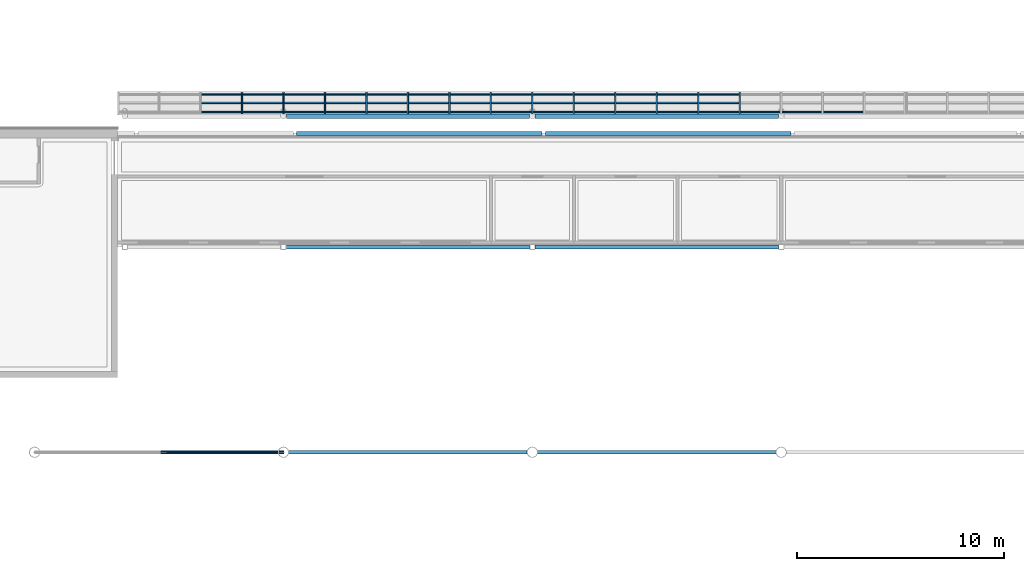
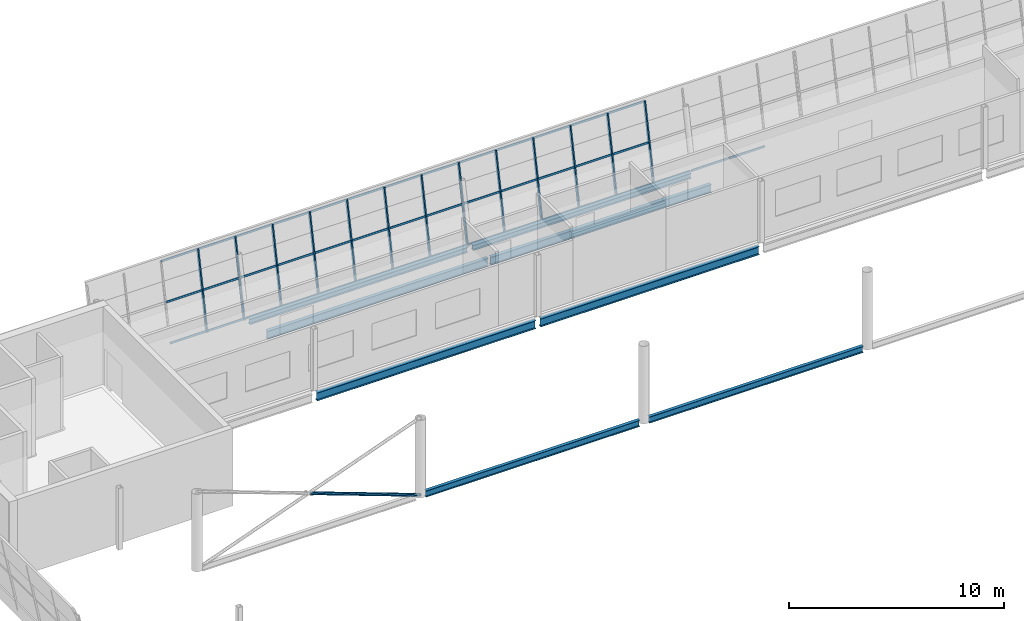
# One storey, part 27 of 95: 56 members, 8 beams, 1 element without a shape of its own.
"""IFC4 building model written with IfcOpenShell, lengths in metres."""

from ifc_helpers import new_model, si_unit, direction, frame, origin, origin_2d, place, context, subcontext, project, spatial, rectangle, hollow_circle, i_section, extrude, material, layer, layer_set, material_profile, profile_set, type_object, element, aggregate, save


model = new_model("IFC4")

# Units and contexts
model_context = context("Model", 3, precision=1e-05, world=origin(), true_north=direction((0.0, 1.0)))
body_context = subcontext(model_context, "Body", "Model", "MODEL_VIEW")
ifc_project = project(units=[si_unit("LENGTHUNIT", "METRE"), si_unit("AREAUNIT", "SQUARE_METRE"), si_unit("VOLUMEUNIT", "CUBIC_METRE"), si_unit("PLANEANGLEUNIT", "RADIAN"), si_unit("MASSUNIT", "GRAM", prefix="KILO")], contexts=[model_context])

# Site, building, storey
site_placement = place(None, origin())
site = spatial("IfcSite", under=ifc_project, at=site_placement, CompositionType="ELEMENT")
building_placement = place(site_placement, origin())
building = spatial("IfcBuilding", under=site, at=building_placement, Name="Windward Yard Aquatics Centre", CompositionType="ELEMENT")
storey_placement = place(building_placement, frame((0.0, 0.0, 9.39990234375)))
storey = spatial("IfcBuildingStorey", under=building, at=storey_placement, Name="L02", CompositionType="ELEMENT", Elevation=9.39990234375)

# Curtain wall, members
ifc_material_1 = material(Name="Glass and aluminium curtain wall", Category="aluminium")
ifc_layer = layer(ifc_material_1, 0.179931640625)
ifc_layer_set = layer_set([ifc_layer], Name="H curtain wall tier 1 double glazed 8+16+8")
curtain_wall_type = type_object("IfcCurtainWallType", Name="H curtain wall tier 1 double glazed 8+16+8", PredefinedType="NOTDEFINED", material=ifc_layer_set)
curtain_wall_placement = place(storey_placement, origin())
curtain_wall = element("IfcCurtainWall", 1, at=curtain_wall_placement, inside=storey, type_object=curtain_wall_type, Name="Tier 1 glazing N L02", PredefinedType="NOTDEFINED")
ifc_material_2 = material(Name="Aluminium 6063-T6 anodised", Category="aluminium")
ifc_material_profile_1 = material_profile(ifc_material_2, rectangle(XDim=0.06494140625, YDim=0.179931640625, at=origin_2d()), Name="H CW mullion 65x180")
ifc_profile_set_1 = profile_set([ifc_material_profile_1], Name="Aluminium 6063-T6 anodised")
member_type_1 = type_object("IfcMemberType", Name="H CW mullion 65x180", PredefinedType="MULLION", material=ifc_profile_set_1)
member_1_placement = place(storey_placement, frame((69.999267578125, 96.803466796875, 0.0), z_axis=(0.0, 0.199322032497, 0.979934042352), x_axis=(-1.0, 0.0, 0.0)))
member_1 = element("IfcMember", 2, at=member_1_placement, type_object=member_type_1, Name="G1NA mullion 4", PredefinedType="MULLION", context=body_context, shape_type="SweptSolid", body=[
    extrude(rectangle(XDim=0.06494140625, YDim=0.179931640625, at=origin_2d()), origin(), (0.0, 0.0, 1.0), 4.31884765625),
])
member_2_placement = place(storey_placement, frame((71.9990234375, 96.803466796875, 0.0), z_axis=(0.0, 0.199322032497, 0.979934042352), x_axis=(-1.0, 0.0, 0.0)))
member_2 = element("IfcMember", 3, at=member_2_placement, type_object=member_type_1, Name="G1NA mullion 5", PredefinedType="MULLION", context=body_context, shape_type="SweptSolid", body=[
    extrude(rectangle(XDim=0.06494140625, YDim=0.179931640625, at=origin_2d()), origin(), (0.0, 0.0, 1.0), 4.31884765625),
])
member_3_placement = place(storey_placement, frame((73.998779296875, 96.803466796875, 0.0), z_axis=(0.0, 0.199322032497, 0.979934042352), x_axis=(-1.0, 0.0, 0.0)))
member_3 = element("IfcMember", 4, at=member_3_placement, type_object=member_type_1, Name="G1NA mullion 6", PredefinedType="MULLION", context=body_context, shape_type="SweptSolid", body=[
    extrude(rectangle(XDim=0.06494140625, YDim=0.179931640625, at=origin_2d()), origin(), (0.0, 0.0, 1.0), 4.31884765625),
])
member_4_placement = place(storey_placement, frame((75.99853515625, 96.803466796875, 0.0), z_axis=(0.0, 0.199322032497, 0.979934042352), x_axis=(-1.0, 0.0, 0.0)))
member_4 = element("IfcMember", 5, at=member_4_placement, type_object=member_type_1, Name="G1NA mullion 7", PredefinedType="MULLION", context=body_context, shape_type="SweptSolid", body=[
    extrude(rectangle(XDim=0.06494140625, YDim=0.179931640625, at=origin_2d()), origin(), (0.0, 0.0, 1.0), 4.31884765625),
])
member_5_placement = place(storey_placement, frame((77.998046875, 96.803466796875, 0.0), z_axis=(0.0, 0.199322032497, 0.979934042352), x_axis=(-1.0, 0.0, 0.0)))
member_5 = element("IfcMember", 6, at=member_5_placement, type_object=member_type_1, Name="G1NA mullion 8", PredefinedType="MULLION", context=body_context, shape_type="SweptSolid", body=[
    extrude(rectangle(XDim=0.06494140625, YDim=0.179931640625, at=origin_2d()), origin(), (0.0, 0.0, 1.0), 4.31884765625),
])
member_6_placement = place(storey_placement, frame((79.997802734375, 96.803466796875, 0.0), z_axis=(0.0, 0.199322032497, 0.979934042352), x_axis=(-1.0, 0.0, 0.0)))
member_6 = element("IfcMember", 7, at=member_6_placement, type_object=member_type_1, Name="G1NA mullion 9", PredefinedType="MULLION", context=body_context, shape_type="SweptSolid", body=[
    extrude(rectangle(XDim=0.06494140625, YDim=0.179931640625, at=origin_2d()), origin(), (0.0, 0.0, 1.0), 4.31884765625),
])
member_7_placement = place(storey_placement, frame((81.99755859375, 96.803466796875, 0.0), z_axis=(0.0, 0.199322032497, 0.979934042352), x_axis=(-1.0, 0.0, 0.0)))
member_7 = element("IfcMember", 8, at=member_7_placement, type_object=member_type_1, Name="G1NA mullion 10", PredefinedType="MULLION", context=body_context, shape_type="SweptSolid", body=[
    extrude(rectangle(XDim=0.06494140625, YDim=0.179931640625, at=origin_2d()), origin(), (0.0, 0.0, 1.0), 4.31884765625),
])
member_8_placement = place(storey_placement, frame((83.997314453125, 96.803466796875, 0.0), z_axis=(0.0, 0.199322032497, 0.979934042352), x_axis=(-1.0, 0.0, 0.0)))
member_8 = element("IfcMember", 9, at=member_8_placement, type_object=member_type_1, Name="G1NA mullion 11", PredefinedType="MULLION", context=body_context, shape_type="SweptSolid", body=[
    extrude(rectangle(XDim=0.06494140625, YDim=0.179931640625, at=origin_2d()), origin(), (0.0, 0.0, 1.0), 4.31884765625),
])
member_9_placement = place(storey_placement, frame((85.9970703125, 96.803466796875, 0.0), z_axis=(0.0, 0.199322032497, 0.979934042352), x_axis=(-1.0, 0.0, 0.0)))
member_9 = element("IfcMember", 10, at=member_9_placement, type_object=member_type_1, Name="G1NA mullion 12", PredefinedType="MULLION", context=body_context, shape_type="SweptSolid", body=[
    extrude(rectangle(XDim=0.06494140625, YDim=0.179931640625, at=origin_2d()), origin(), (0.0, 0.0, 1.0), 4.31884765625),
])
member_10_placement = place(storey_placement, frame((87.996826171875, 96.803466796875, 0.0), z_axis=(0.0, 0.199322032497, 0.979934042352), x_axis=(-1.0, 0.0, 0.0)))
member_10 = element("IfcMember", 11, at=member_10_placement, type_object=member_type_1, Name="G1NA mullion 13", PredefinedType="MULLION", context=body_context, shape_type="SweptSolid", body=[
    extrude(rectangle(XDim=0.06494140625, YDim=0.179931640625, at=origin_2d()), origin(), (0.0, 0.0, 1.0), 4.31884765625),
])
member_11_placement = place(storey_placement, frame((89.99658203125, 96.803466796875, 0.0), z_axis=(0.0, 0.199322032497, 0.979934042352), x_axis=(-1.0, 0.0, 0.0)))
member_11 = element("IfcMember", 12, at=member_11_placement, type_object=member_type_1, Name="G1NA mullion 14", PredefinedType="MULLION", context=body_context, shape_type="SweptSolid", body=[
    extrude(rectangle(XDim=0.06494140625, YDim=0.179931640625, at=origin_2d()), origin(), (0.0, 0.0, 1.0), 4.31884765625),
])
member_12_placement = place(storey_placement, frame((91.996337890625, 96.803466796875, 0.0), z_axis=(0.0, 0.199322032497, 0.979934042352), x_axis=(-1.0, 0.0, 0.0)))
member_12 = element("IfcMember", 13, at=member_12_placement, type_object=member_type_1, Name="G1NA mullion 15", PredefinedType="MULLION", context=body_context, shape_type="SweptSolid", body=[
    extrude(rectangle(XDim=0.06494140625, YDim=0.179931640625, at=origin_2d()), origin(), (0.0, 0.0, 1.0), 4.31884765625),
])
member_13_placement = place(storey_placement, frame((93.99609375, 96.803466796875, 0.0), z_axis=(0.0, 0.199322032497, 0.979934042352), x_axis=(-1.0, 0.0, 0.0)))
member_13 = element("IfcMember", 14, at=member_13_placement, type_object=member_type_1, Name="G1NA mullion 16", PredefinedType="MULLION", context=body_context, shape_type="SweptSolid", body=[
    extrude(rectangle(XDim=0.06494140625, YDim=0.179931640625, at=origin_2d()), origin(), (0.0, 0.0, 1.0), 4.31884765625),
])
ifc_material_profile_2 = material_profile(ifc_material_2, rectangle(XDim=0.06494140625, YDim=0.10009765625, at=origin_2d()), Name="H CW transom 65x100")
ifc_profile_set_2 = profile_set([ifc_material_profile_2], Name="Aluminium 6063-T6 anodised")
member_type_2 = type_object("IfcMemberType", Name="H CW transom 65x100", PredefinedType="USERDEFINED", material=ifc_profile_set_2)
member_14_placement = place(storey_placement, frame((68.031982421875, 96.813232421875, 0.049072265625), z_axis=(1.0, 0.0, 0.0), x_axis=(0.0, -0.9799247046, 0.19936793452)))
member_14 = element("IfcMember", 15, at=member_14_placement, type_object=member_type_2, Name="G1NA transom 3.1", ObjectType="TRANSOM", PredefinedType="USERDEFINED", context=body_context, shape_type="SweptSolid", body=[
    extrude(rectangle(XDim=0.06494140625, YDim=0.10009765625, at=origin_2d()), origin(), (0.0, 0.0, 1.0), 1.934814453125),
])
member_15_placement = place(storey_placement, frame((68.031982421875, 97.235595703125, 2.125), z_axis=(1.0, 0.0, 0.0), x_axis=(0.0, -0.9799247046, 0.19936793452)))
member_15 = element("IfcMember", 16, at=member_15_placement, type_object=member_type_2, Name="G1NA transom 3.2", ObjectType="TRANSOM", PredefinedType="USERDEFINED", context=body_context, shape_type="SweptSolid", body=[
    extrude(rectangle(XDim=0.06494140625, YDim=0.10009765625, at=origin_2d()), origin(), (0.0, 0.0, 1.0), 1.934814453125),
])
member_16_placement = place(storey_placement, frame((68.031982421875, 97.65673828125, 4.194580078125), z_axis=(1.0, 0.0, 0.0), x_axis=(0.0, -0.9799247046, 0.19936793452)))
member_16 = element("IfcMember", 17, at=member_16_placement, type_object=member_type_2, Name="G1NA transom 3.3", ObjectType="TRANSOM", PredefinedType="USERDEFINED", context=body_context, shape_type="SweptSolid", body=[
    extrude(rectangle(XDim=0.06494140625, YDim=0.10009765625, at=origin_2d()), origin(), (0.0, 0.0, 1.0), 1.934814453125),
])
member_17_placement = place(storey_placement, frame((70.03173828125, 96.813232421875, 0.049072265625), z_axis=(1.0, 0.0, 0.0), x_axis=(0.0, -0.9799247046, 0.19936793452)))
member_17 = element("IfcMember", 18, at=member_17_placement, type_object=member_type_2, Name="G1NA transom 4.1", ObjectType="TRANSOM", PredefinedType="USERDEFINED", context=body_context, shape_type="SweptSolid", body=[
    extrude(rectangle(XDim=0.06494140625, YDim=0.10009765625, at=origin_2d()), origin(), (0.0, 0.0, 1.0), 1.934814453125),
])
member_18_placement = place(storey_placement, frame((70.03173828125, 97.235595703125, 2.125), z_axis=(1.0, 0.0, 0.0), x_axis=(0.0, -0.9799247046, 0.19936793452)))
member_18 = element("IfcMember", 19, at=member_18_placement, type_object=member_type_2, Name="G1NA transom 4.2", ObjectType="TRANSOM", PredefinedType="USERDEFINED", context=body_context, shape_type="SweptSolid", body=[
    extrude(rectangle(XDim=0.06494140625, YDim=0.10009765625, at=origin_2d()), origin(), (0.0, 0.0, 1.0), 1.934814453125),
])
member_19_placement = place(storey_placement, frame((70.03173828125, 97.65673828125, 4.194580078125), z_axis=(1.0, 0.0, 0.0), x_axis=(0.0, -0.9799247046, 0.19936793452)))
member_19 = element("IfcMember", 20, at=member_19_placement, type_object=member_type_2, Name="G1NA transom 4.3", ObjectType="TRANSOM", PredefinedType="USERDEFINED", context=body_context, shape_type="SweptSolid", body=[
    extrude(rectangle(XDim=0.06494140625, YDim=0.10009765625, at=origin_2d()), origin(), (0.0, 0.0, 1.0), 1.934814453125),
])
member_20_placement = place(storey_placement, frame((72.031494140625, 96.813232421875, 0.049072265625), z_axis=(1.0, 0.0, 0.0), x_axis=(0.0, -0.9799247046, 0.19936793452)))
member_20 = element("IfcMember", 21, at=member_20_placement, type_object=member_type_2, Name="G1NA transom 5.1", ObjectType="TRANSOM", PredefinedType="USERDEFINED", context=body_context, shape_type="SweptSolid", body=[
    extrude(rectangle(XDim=0.06494140625, YDim=0.10009765625, at=origin_2d()), origin(), (0.0, 0.0, 1.0), 1.9345703125),
])
member_21_placement = place(storey_placement, frame((72.031494140625, 97.235595703125, 2.125), z_axis=(1.0, 0.0, 0.0), x_axis=(0.0, -0.9799247046, 0.19936793452)))
member_21 = element("IfcMember", 22, at=member_21_placement, type_object=member_type_2, Name="G1NA transom 5.2", ObjectType="TRANSOM", PredefinedType="USERDEFINED", context=body_context, shape_type="SweptSolid", body=[
    extrude(rectangle(XDim=0.06494140625, YDim=0.10009765625, at=origin_2d()), origin(), (0.0, 0.0, 1.0), 1.9345703125),
])
member_22_placement = place(storey_placement, frame((72.031494140625, 97.65673828125, 4.194580078125), z_axis=(1.0, 0.0, 0.0), x_axis=(0.0, -0.9799247046, 0.19936793452)))
member_22 = element("IfcMember", 23, at=member_22_placement, type_object=member_type_2, Name="G1NA transom 5.3", ObjectType="TRANSOM", PredefinedType="USERDEFINED", context=body_context, shape_type="SweptSolid", body=[
    extrude(rectangle(XDim=0.06494140625, YDim=0.10009765625, at=origin_2d()), origin(), (0.0, 0.0, 1.0), 1.9345703125),
])
member_23_placement = place(storey_placement, frame((74.03125, 96.813232421875, 0.049072265625), z_axis=(1.0, 0.0, 0.0), x_axis=(0.0, -0.9799247046, 0.19936793452)))
member_23 = element("IfcMember", 24, at=member_23_placement, type_object=member_type_2, Name="G1NA transom 6.1", ObjectType="TRANSOM", PredefinedType="USERDEFINED", context=body_context, shape_type="SweptSolid", body=[
    extrude(rectangle(XDim=0.06494140625, YDim=0.10009765625, at=origin_2d()), origin(), (0.0, 0.0, 1.0), 1.9345703125),
])
member_24_placement = place(storey_placement, frame((74.03125, 97.235595703125, 2.125), z_axis=(1.0, 0.0, 0.0), x_axis=(0.0, -0.9799247046, 0.19936793452)))
member_24 = element("IfcMember", 25, at=member_24_placement, type_object=member_type_2, Name="G1NA transom 6.2", ObjectType="TRANSOM", PredefinedType="USERDEFINED", context=body_context, shape_type="SweptSolid", body=[
    extrude(rectangle(XDim=0.06494140625, YDim=0.10009765625, at=origin_2d()), origin(), (0.0, 0.0, 1.0), 1.9345703125),
])
member_25_placement = place(storey_placement, frame((74.03125, 97.65673828125, 4.194580078125), z_axis=(1.0, 0.0, 0.0), x_axis=(0.0, -0.9799247046, 0.19936793452)))
member_25 = element("IfcMember", 26, at=member_25_placement, type_object=member_type_2, Name="G1NA transom 6.3", ObjectType="TRANSOM", PredefinedType="USERDEFINED", context=body_context, shape_type="SweptSolid", body=[
    extrude(rectangle(XDim=0.06494140625, YDim=0.10009765625, at=origin_2d()), origin(), (0.0, 0.0, 1.0), 1.9345703125),
])
member_26_placement = place(storey_placement, frame((76.031005859375, 96.813232421875, 0.049072265625), z_axis=(1.0, 0.0, 0.0), x_axis=(0.0, -0.9799247046, 0.19936793452)))
member_26 = element("IfcMember", 27, at=member_26_placement, type_object=member_type_2, Name="G1NA transom 7.1", ObjectType="TRANSOM", PredefinedType="USERDEFINED", context=body_context, shape_type="SweptSolid", body=[
    extrude(rectangle(XDim=0.06494140625, YDim=0.10009765625, at=origin_2d()), origin(), (0.0, 0.0, 1.0), 1.9345703125),
])
member_27_placement = place(storey_placement, frame((76.031005859375, 97.235595703125, 2.125), z_axis=(1.0, 0.0, 0.0), x_axis=(0.0, -0.9799247046, 0.19936793452)))
member_27 = element("IfcMember", 28, at=member_27_placement, type_object=member_type_2, Name="G1NA transom 7.2", ObjectType="TRANSOM", PredefinedType="USERDEFINED", context=body_context, shape_type="SweptSolid", body=[
    extrude(rectangle(XDim=0.06494140625, YDim=0.10009765625, at=origin_2d()), origin(), (0.0, 0.0, 1.0), 1.9345703125),
])
member_28_placement = place(storey_placement, frame((76.031005859375, 97.65673828125, 4.194580078125), z_axis=(1.0, 0.0, 0.0), x_axis=(0.0, -0.9799247046, 0.19936793452)))
member_28 = element("IfcMember", 29, at=member_28_placement, type_object=member_type_2, Name="G1NA transom 7.3", ObjectType="TRANSOM", PredefinedType="USERDEFINED", context=body_context, shape_type="SweptSolid", body=[
    extrude(rectangle(XDim=0.06494140625, YDim=0.10009765625, at=origin_2d()), origin(), (0.0, 0.0, 1.0), 1.9345703125),
])
member_29_placement = place(storey_placement, frame((78.03076171875, 96.813232421875, 0.049072265625), z_axis=(1.0, 0.0, 0.0), x_axis=(0.0, -0.9799247046, 0.19936793452)))
member_29 = element("IfcMember", 30, at=member_29_placement, type_object=member_type_2, Name="G1NA transom 8.1", ObjectType="TRANSOM", PredefinedType="USERDEFINED", context=body_context, shape_type="SweptSolid", body=[
    extrude(rectangle(XDim=0.06494140625, YDim=0.10009765625, at=origin_2d()), origin(), (0.0, 0.0, 1.0), 1.9345703125),
])
member_30_placement = place(storey_placement, frame((78.03076171875, 97.235595703125, 2.125), z_axis=(1.0, 0.0, 0.0), x_axis=(0.0, -0.9799247046, 0.19936793452)))
member_30 = element("IfcMember", 31, at=member_30_placement, type_object=member_type_2, Name="G1NA transom 8.2", ObjectType="TRANSOM", PredefinedType="USERDEFINED", context=body_context, shape_type="SweptSolid", body=[
    extrude(rectangle(XDim=0.06494140625, YDim=0.10009765625, at=origin_2d()), origin(), (0.0, 0.0, 1.0), 1.9345703125),
])
member_31_placement = place(storey_placement, frame((78.03076171875, 97.65673828125, 4.194580078125), z_axis=(1.0, 0.0, 0.0), x_axis=(0.0, -0.9799247046, 0.19936793452)))
member_31 = element("IfcMember", 32, at=member_31_placement, type_object=member_type_2, Name="G1NA transom 8.3", ObjectType="TRANSOM", PredefinedType="USERDEFINED", context=body_context, shape_type="SweptSolid", body=[
    extrude(rectangle(XDim=0.06494140625, YDim=0.10009765625, at=origin_2d()), origin(), (0.0, 0.0, 1.0), 1.9345703125),
])
member_32_placement = place(storey_placement, frame((80.0302734375, 96.813232421875, 0.049072265625), z_axis=(1.0, 0.0, 0.0), x_axis=(0.0, -0.9799247046, 0.19936793452)))
member_32 = element("IfcMember", 33, at=member_32_placement, type_object=member_type_2, Name="G1NA transom 9.1", ObjectType="TRANSOM", PredefinedType="USERDEFINED", context=body_context, shape_type="SweptSolid", body=[
    extrude(rectangle(XDim=0.06494140625, YDim=0.10009765625, at=origin_2d()), origin(), (0.0, 0.0, 1.0), 1.934814453125),
])
member_33_placement = place(storey_placement, frame((80.0302734375, 97.235595703125, 2.125), z_axis=(1.0, 0.0, 0.0), x_axis=(0.0, -0.9799247046, 0.19936793452)))
member_33 = element("IfcMember", 34, at=member_33_placement, type_object=member_type_2, Name="G1NA transom 9.2", ObjectType="TRANSOM", PredefinedType="USERDEFINED", context=body_context, shape_type="SweptSolid", body=[
    extrude(rectangle(XDim=0.06494140625, YDim=0.10009765625, at=origin_2d()), origin(), (0.0, 0.0, 1.0), 1.934814453125),
])
member_34_placement = place(storey_placement, frame((80.0302734375, 97.65673828125, 4.194580078125), z_axis=(1.0, 0.0, 0.0), x_axis=(0.0, -0.9799247046, 0.19936793452)))
member_34 = element("IfcMember", 35, at=member_34_placement, type_object=member_type_2, Name="G1NA transom 9.3", ObjectType="TRANSOM", PredefinedType="USERDEFINED", context=body_context, shape_type="SweptSolid", body=[
    extrude(rectangle(XDim=0.06494140625, YDim=0.10009765625, at=origin_2d()), origin(), (0.0, 0.0, 1.0), 1.934814453125),
])
member_35_placement = place(storey_placement, frame((82.030029296875, 96.813232421875, 0.049072265625), z_axis=(1.0, 0.0, 0.0), x_axis=(0.0, -0.9799247046, 0.19936793452)))
member_35 = element("IfcMember", 36, at=member_35_placement, type_object=member_type_2, Name="G1NA transom 10.1", ObjectType="TRANSOM", PredefinedType="USERDEFINED", context=body_context, shape_type="SweptSolid", body=[
    extrude(rectangle(XDim=0.06494140625, YDim=0.10009765625, at=origin_2d()), origin(), (0.0, 0.0, 1.0), 1.934814453125),
])
member_36_placement = place(storey_placement, frame((82.030029296875, 97.235595703125, 2.125), z_axis=(1.0, 0.0, 0.0), x_axis=(0.0, -0.9799247046, 0.19936793452)))
member_36 = element("IfcMember", 37, at=member_36_placement, type_object=member_type_2, Name="G1NA transom 10.2", ObjectType="TRANSOM", PredefinedType="USERDEFINED", context=body_context, shape_type="SweptSolid", body=[
    extrude(rectangle(XDim=0.06494140625, YDim=0.10009765625, at=origin_2d()), origin(), (0.0, 0.0, 1.0), 1.934814453125),
])
member_37_placement = place(storey_placement, frame((82.030029296875, 97.65673828125, 4.194580078125), z_axis=(1.0, 0.0, 0.0), x_axis=(0.0, -0.9799247046, 0.19936793452)))
member_37 = element("IfcMember", 38, at=member_37_placement, type_object=member_type_2, Name="G1NA transom 10.3", ObjectType="TRANSOM", PredefinedType="USERDEFINED", context=body_context, shape_type="SweptSolid", body=[
    extrude(rectangle(XDim=0.06494140625, YDim=0.10009765625, at=origin_2d()), origin(), (0.0, 0.0, 1.0), 1.934814453125),
])
member_38_placement = place(storey_placement, frame((84.02978515625, 96.813232421875, 0.049072265625), z_axis=(1.0, 0.0, 0.0), x_axis=(0.0, -0.9799247046, 0.19936793452)))
member_38 = element("IfcMember", 39, at=member_38_placement, type_object=member_type_2, Name="G1NA transom 11.1", ObjectType="TRANSOM", PredefinedType="USERDEFINED", context=body_context, shape_type="SweptSolid", body=[
    extrude(rectangle(XDim=0.06494140625, YDim=0.10009765625, at=origin_2d()), origin(), (0.0, 0.0, 1.0), 1.934814453125),
])
member_39_placement = place(storey_placement, frame((84.02978515625, 97.235595703125, 2.125), z_axis=(1.0, 0.0, 0.0), x_axis=(0.0, -0.9799247046, 0.19936793452)))
member_39 = element("IfcMember", 40, at=member_39_placement, type_object=member_type_2, Name="G1NA transom 11.2", ObjectType="TRANSOM", PredefinedType="USERDEFINED", context=body_context, shape_type="SweptSolid", body=[
    extrude(rectangle(XDim=0.06494140625, YDim=0.10009765625, at=origin_2d()), origin(), (0.0, 0.0, 1.0), 1.934814453125),
])
member_40_placement = place(storey_placement, frame((84.02978515625, 97.65673828125, 4.194580078125), z_axis=(1.0, 0.0, 0.0), x_axis=(0.0, -0.9799247046, 0.19936793452)))
member_40 = element("IfcMember", 41, at=member_40_placement, type_object=member_type_2, Name="G1NA transom 11.3", ObjectType="TRANSOM", PredefinedType="USERDEFINED", context=body_context, shape_type="SweptSolid", body=[
    extrude(rectangle(XDim=0.06494140625, YDim=0.10009765625, at=origin_2d()), origin(), (0.0, 0.0, 1.0), 1.934814453125),
])
member_41_placement = place(storey_placement, frame((86.029541015625, 96.813232421875, 0.049072265625), z_axis=(1.0, 0.0, 0.0), x_axis=(0.0, -0.9799247046, 0.19936793452)))
member_41 = element("IfcMember", 42, at=member_41_placement, type_object=member_type_2, Name="G1NA transom 12.1", ObjectType="TRANSOM", PredefinedType="USERDEFINED", context=body_context, shape_type="SweptSolid", body=[
    extrude(rectangle(XDim=0.06494140625, YDim=0.10009765625, at=origin_2d()), origin(), (0.0, 0.0, 1.0), 1.934814453125),
])
member_42_placement = place(storey_placement, frame((86.029541015625, 97.235595703125, 2.125), z_axis=(1.0, 0.0, 0.0), x_axis=(0.0, -0.9799247046, 0.19936793452)))
member_42 = element("IfcMember", 43, at=member_42_placement, type_object=member_type_2, Name="G1NA transom 12.2", ObjectType="TRANSOM", PredefinedType="USERDEFINED", context=body_context, shape_type="SweptSolid", body=[
    extrude(rectangle(XDim=0.06494140625, YDim=0.10009765625, at=origin_2d()), origin(), (0.0, 0.0, 1.0), 1.934814453125),
])
member_43_placement = place(storey_placement, frame((86.029541015625, 97.65673828125, 4.194580078125), z_axis=(1.0, 0.0, 0.0), x_axis=(0.0, -0.9799247046, 0.19936793452)))
member_43 = element("IfcMember", 44, at=member_43_placement, type_object=member_type_2, Name="G1NA transom 12.3", ObjectType="TRANSOM", PredefinedType="USERDEFINED", context=body_context, shape_type="SweptSolid", body=[
    extrude(rectangle(XDim=0.06494140625, YDim=0.10009765625, at=origin_2d()), origin(), (0.0, 0.0, 1.0), 1.934814453125),
])
member_44_placement = place(storey_placement, frame((88.029296875, 96.813232421875, 0.049072265625), z_axis=(1.0, 0.0, 0.0), x_axis=(0.0, -0.9799247046, 0.19936793452)))
member_44 = element("IfcMember", 45, at=member_44_placement, type_object=member_type_2, Name="G1NA transom 13.1", ObjectType="TRANSOM", PredefinedType="USERDEFINED", context=body_context, shape_type="SweptSolid", body=[
    extrude(rectangle(XDim=0.06494140625, YDim=0.10009765625, at=origin_2d()), origin(), (0.0, 0.0, 1.0), 1.934814453125),
])
member_45_placement = place(storey_placement, frame((88.029296875, 97.235595703125, 2.125), z_axis=(1.0, 0.0, 0.0), x_axis=(0.0, -0.9799247046, 0.19936793452)))
member_45 = element("IfcMember", 46, at=member_45_placement, type_object=member_type_2, Name="G1NA transom 13.2", ObjectType="TRANSOM", PredefinedType="USERDEFINED", context=body_context, shape_type="SweptSolid", body=[
    extrude(rectangle(XDim=0.06494140625, YDim=0.10009765625, at=origin_2d()), origin(), (0.0, 0.0, 1.0), 1.934814453125),
])
member_46_placement = place(storey_placement, frame((88.029296875, 97.65673828125, 4.194580078125), z_axis=(1.0, 0.0, 0.0), x_axis=(0.0, -0.9799247046, 0.19936793452)))
member_46 = element("IfcMember", 47, at=member_46_placement, type_object=member_type_2, Name="G1NA transom 13.3", ObjectType="TRANSOM", PredefinedType="USERDEFINED", context=body_context, shape_type="SweptSolid", body=[
    extrude(rectangle(XDim=0.06494140625, YDim=0.10009765625, at=origin_2d()), origin(), (0.0, 0.0, 1.0), 1.934814453125),
])
member_47_placement = place(storey_placement, frame((90.029052734375, 96.813232421875, 0.049072265625), z_axis=(1.0, 0.0, 0.0), x_axis=(0.0, -0.9799247046, 0.19936793452)))
member_47 = element("IfcMember", 48, at=member_47_placement, type_object=member_type_2, Name="G1NA transom 14.1", ObjectType="TRANSOM", PredefinedType="USERDEFINED", context=body_context, shape_type="SweptSolid", body=[
    extrude(rectangle(XDim=0.06494140625, YDim=0.10009765625, at=origin_2d()), origin(), (0.0, 0.0, 1.0), 1.934814453125),
])
member_48_placement = place(storey_placement, frame((90.029052734375, 97.235595703125, 2.125), z_axis=(1.0, 0.0, 0.0), x_axis=(0.0, -0.9799247046, 0.19936793452)))
member_48 = element("IfcMember", 49, at=member_48_placement, type_object=member_type_2, Name="G1NA transom 14.2", ObjectType="TRANSOM", PredefinedType="USERDEFINED", context=body_context, shape_type="SweptSolid", body=[
    extrude(rectangle(XDim=0.06494140625, YDim=0.10009765625, at=origin_2d()), origin(), (0.0, 0.0, 1.0), 1.934814453125),
])
member_49_placement = place(storey_placement, frame((90.029052734375, 97.65673828125, 4.194580078125), z_axis=(1.0, 0.0, 0.0), x_axis=(0.0, -0.9799247046, 0.19936793452)))
member_49 = element("IfcMember", 50, at=member_49_placement, type_object=member_type_2, Name="G1NA transom 14.3", ObjectType="TRANSOM", PredefinedType="USERDEFINED", context=body_context, shape_type="SweptSolid", body=[
    extrude(rectangle(XDim=0.06494140625, YDim=0.10009765625, at=origin_2d()), origin(), (0.0, 0.0, 1.0), 1.934814453125),
])
member_50_placement = place(storey_placement, frame((92.02880859375, 96.813232421875, 0.049072265625), z_axis=(1.0, 0.0, 0.0), x_axis=(0.0, -0.9799247046, 0.19936793452)))
member_50 = element("IfcMember", 51, at=member_50_placement, type_object=member_type_2, Name="G1NA transom 15.1", ObjectType="TRANSOM", PredefinedType="USERDEFINED", context=body_context, shape_type="SweptSolid", body=[
    extrude(rectangle(XDim=0.06494140625, YDim=0.10009765625, at=origin_2d()), origin(), (0.0, 0.0, 1.0), 1.934814453125),
])
member_51_placement = place(storey_placement, frame((92.02880859375, 97.235595703125, 2.125), z_axis=(1.0, 0.0, 0.0), x_axis=(0.0, -0.9799247046, 0.19936793452)))
member_51 = element("IfcMember", 52, at=member_51_placement, type_object=member_type_2, Name="G1NA transom 15.2", ObjectType="TRANSOM", PredefinedType="USERDEFINED", context=body_context, shape_type="SweptSolid", body=[
    extrude(rectangle(XDim=0.06494140625, YDim=0.10009765625, at=origin_2d()), origin(), (0.0, 0.0, 1.0), 1.934814453125),
])
member_52_placement = place(storey_placement, frame((92.02880859375, 97.65673828125, 4.194580078125), z_axis=(1.0, 0.0, 0.0), x_axis=(0.0, -0.9799247046, 0.19936793452)))
member_52 = element("IfcMember", 53, at=member_52_placement, type_object=member_type_2, Name="G1NA transom 15.3", ObjectType="TRANSOM", PredefinedType="USERDEFINED", context=body_context, shape_type="SweptSolid", body=[
    extrude(rectangle(XDim=0.06494140625, YDim=0.10009765625, at=origin_2d()), origin(), (0.0, 0.0, 1.0), 1.934814453125),
])
member_53_placement = place(storey_placement, frame((94.028564453125, 96.813232421875, 0.049072265625), z_axis=(1.0, 0.0, 0.0), x_axis=(0.0, -0.9799247046, 0.19936793452)))
member_53 = element("IfcMember", 54, at=member_53_placement, type_object=member_type_2, Name="G1NA transom 16.1", ObjectType="TRANSOM", PredefinedType="USERDEFINED", context=body_context, shape_type="SweptSolid", body=[
    extrude(rectangle(XDim=0.06494140625, YDim=0.10009765625, at=origin_2d()), origin(), (0.0, 0.0, 1.0), 1.934814453125),
])
member_54_placement = place(storey_placement, frame((96.0283203125, 96.813232421875, 0.049072265625), z_axis=(1.0, 0.0, 0.0), x_axis=(0.0, -0.9799247046, 0.19936793452)))
member_54 = element("IfcMember", 55, at=member_54_placement, type_object=member_type_2, Name="G1NA transom 17.1", ObjectType="TRANSOM", PredefinedType="USERDEFINED", context=body_context, shape_type="SweptSolid", body=[
    extrude(rectangle(XDim=0.06494140625, YDim=0.10009765625, at=origin_2d()), origin(), (0.0, 0.0, 1.0), 1.934814453125),
])
member_55_placement = place(storey_placement, frame((98.028076171875, 96.813232421875, 0.049072265625), z_axis=(1.0, 0.0, 0.0), x_axis=(0.0, -0.9799247046, 0.19936793452)))
member_55 = element("IfcMember", 56, at=member_55_placement, type_object=member_type_2, Name="G1NA transom 18.1", ObjectType="TRANSOM", PredefinedType="USERDEFINED", context=body_context, shape_type="SweptSolid", body=[
    extrude(rectangle(XDim=0.06494140625, YDim=0.10009765625, at=origin_2d()), origin(), (0.0, 0.0, 1.0), 1.9345703125),
])
aggregate(curtain_wall, [member_1, member_2, member_3, member_4, member_5, member_6, member_7, member_8, member_9, member_10, member_11, member_12, member_13, member_14, member_15, member_16, member_17, member_18, member_19, member_20, member_21, member_22, member_23, member_24, member_25, member_26, member_27, member_28, member_29, member_30, member_31, member_32, member_33, member_34, member_35, member_36, member_37, member_38, member_39, member_40, member_41, member_42, member_43, member_44, member_45, member_46, member_47, member_48, member_49, member_50, member_51, member_52, member_53, member_54, member_55])

# Beams
ifc_material_3 = material(Name="Steel ASTM A992 Gr 50", Category="steel")
ifc_material_profile_3 = material_profile(ifc_material_3, i_section(OverallWidth=0.172119140625, OverallDepth=0.35791015625, WebThickness=0.0078125, FlangeThickness=0.01318359375, at=origin_2d()), Name="W360X57.8")
ifc_profile_set_3 = profile_set([ifc_material_profile_3], Name="Steel ASTM A992 Gr 50")
beam_type_1 = type_object("IfcBeamType", Name="H arch column tie beam W360X57.8", PredefinedType="BEAM", material=ifc_profile_set_3)
for number, where, z_axis, x_axis, name in (
    (57, (72.25390625, 80.39990234375, 0.0), (1.0, 0.0, 0.0), (0.0, 1.0, 0.0), "H.TB.N2.T2"),
    (58, (84.25390625, 80.39990234375, 0.0), (1.0, 0.0, 0.0), (0.0, 1.0, 0.0), "H.TB.N3.T2"),
):
    element("IfcBeam", number, at=place(storey_placement, frame(where, z_axis=z_axis, x_axis=x_axis)), inside=storey, type_object=beam_type_1, Name=name, PredefinedType="BEAM", context=body_context, shape_type="SweptSolid", body=[
        extrude(i_section(OverallWidth=0.172119140625, OverallDepth=0.35791015625, WebThickness=0.0078125, FlangeThickness=0.01318359375, at=origin_2d()), origin(), (0.0, 0.0, 1.0), 11.4921875),
    ])

# Member
ifc_material_4 = material(Name="Steel ASTM A500 Gr C", Category="steel")
ifc_material_profile_4 = material_profile(ifc_material_4, hollow_circle(Radius=0.084228515625, WallThickness=0.010986328125, at=origin_2d()), Name="HSS168.3X11")
ifc_profile_set_4 = profile_set([ifc_material_profile_4], Name="Steel ASTM A500 Gr C")
member_type_3 = type_object("IfcMemberType", Name="H column brace HSS168.3X11", PredefinedType="BRACE", material=ifc_profile_set_4)
member_56_placement = place(storey_placement, frame((66.103515625, 80.39990234375, 2.162109375), z_axis=(0.938872965334, 0.0, -0.344263786891), x_axis=(0.0, 1.0, 0.0)))
element("IfcMember", 59, at=member_56_placement, inside=storey, type_object=member_type_3, Name="H.VB.N1.L02.B2", PredefinedType="BRACE", context=body_context, shape_type="SweptSolid", body=[
    extrude(hollow_circle(Radius=0.084228515625, WallThickness=0.010986328125, at=origin_2d()), origin(), (0.0, 0.0, 1.0), 6.2802734375),
])

# Beams
ifc_material_profile_5 = material_profile(ifc_material_3, i_section(OverallWidth=0.19091796875, OverallDepth=0.45703125, WebThickness=0.009033203125, FlangeThickness=0.014404296875, at=origin_2d()), Name="W460X74")
ifc_profile_set_5 = profile_set([ifc_material_profile_5], Name="Steel ASTM A992 Gr 50")
beam_type_2 = type_object("IfcBeamType", Name="H gallery edge beam W460X74", PredefinedType="BEAM", material=ifc_profile_set_5)
for number, where, z_axis, x_axis, name in (
    (60, (72.626220703125, 95.77490234375, -0.428466796875), (1.0, 0.0, 0.0), (0.0, 1.0, 0.0), "H.GB.N.O3"),
    (61, (84.626220703125, 95.77490234375, -0.428466796875), (1.0, 0.0, 0.0), (0.0, 1.0, 0.0), "H.GB.N.O4"),
):
    element("IfcBeam", number, at=place(storey_placement, frame(where, z_axis=z_axis, x_axis=x_axis)), inside=storey, type_object=beam_type_2, Name=name, PredefinedType="BEAM", context=body_context, shape_type="SweptSolid", body=[
        extrude(i_section(OverallWidth=0.19091796875, OverallDepth=0.45703125, WebThickness=0.009033203125, FlangeThickness=0.014404296875, at=origin_2d()), origin(), (0.0, 0.0, 1.0), 11.84765625),
    ])
for number, where, z_axis, x_axis, name in (
    (62, (72.126953125, 90.290283203125, -0.428466796875), (1.0, 0.0, 0.0), (0.0, 1.0, 0.0), "H.GB.N.I2"),
    (63, (84.126953125, 90.290283203125, -0.428466796875), (1.0, 0.0, 0.0), (0.0, 1.0, 0.0), "H.GB.N.I3"),
):
    element("IfcBeam", number, at=place(storey_placement, frame(where, z_axis=z_axis, x_axis=x_axis)), inside=storey, type_object=beam_type_2, Name=name, PredefinedType="BEAM", context=body_context, shape_type="SweptSolid", body=[
        extrude(i_section(OverallWidth=0.19091796875, OverallDepth=0.45703125, WebThickness=0.009033203125, FlangeThickness=0.014404296875, at=origin_2d()), origin(), (0.0, 0.0, 1.0), 11.74609375),
    ])
ifc_material_profile_6 = material_profile(ifc_material_3, i_section(OverallWidth=0.202880859375, OverallDepth=0.302001953125, WebThickness=0.007568359375, FlangeThickness=0.01318359375, at=origin_2d()), Name="W310X60")
ifc_profile_set_6 = profile_set([ifc_material_profile_6], Name="Steel ASTM A992 Gr 50")
beam_type_3 = type_object("IfcBeamType", Name="H tier ring beam W310X60", PredefinedType="BEAM", material=ifc_profile_set_6)
for number, where, z_axis, x_axis, name in (
    (64, (72.136474609375, 96.59521484375, 0.0), (1.0, 0.0, 0.0), (0.0, 1.0, 0.0), "H.RG.N2.1"),
    (65, (84.136474609375, 96.59521484375, 0.0), (1.0, 0.0, 0.0), (0.0, 1.0, 0.0), "H.RG.N3.1"),
):
    element("IfcBeam", number, at=place(storey_placement, frame(where, z_axis=z_axis, x_axis=x_axis)), inside=storey, type_object=beam_type_3, Name=name, PredefinedType="BEAM", context=body_context, shape_type="SweptSolid", body=[
        extrude(i_section(OverallWidth=0.202880859375, OverallDepth=0.302001953125, WebThickness=0.007568359375, FlangeThickness=0.01318359375, at=origin_2d()), origin(), (0.0, 0.0, 1.0), 11.72705078125),
    ])

save(model, "model.ifc")
